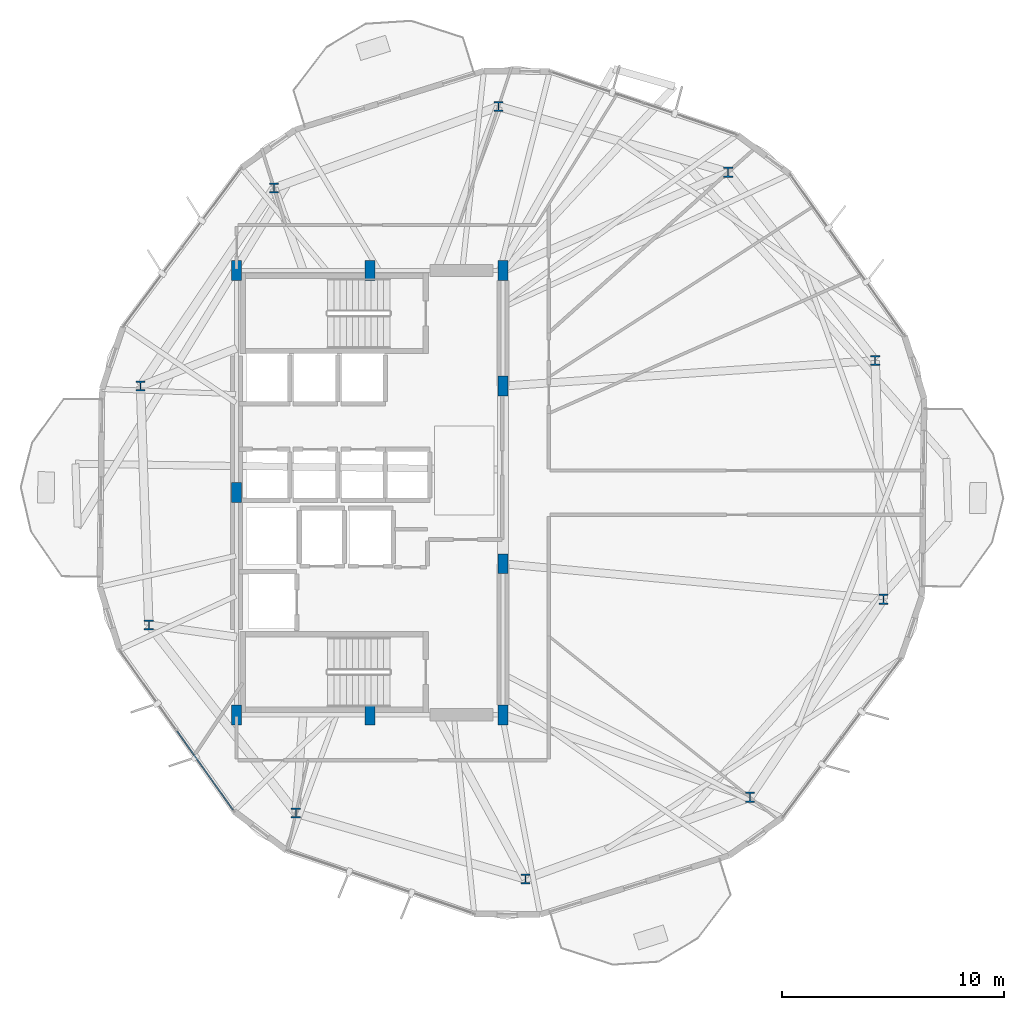
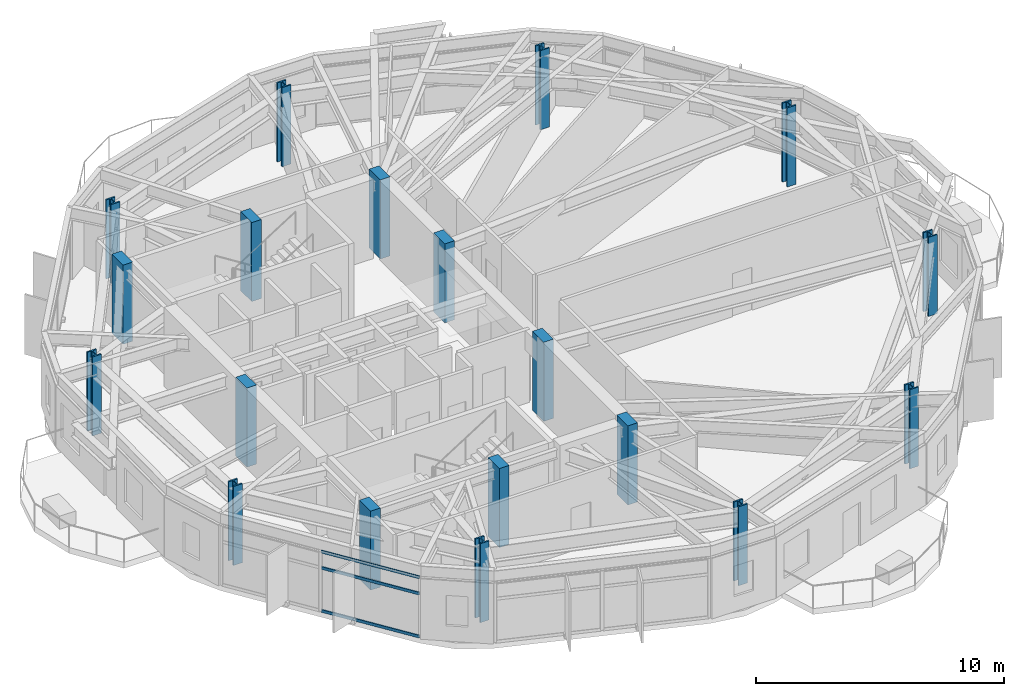
# One storey, part 1 of 27: 19 columns, 3 members, 1 element without a shape of its own.
"""IFC4 building model written with IfcOpenShell, lengths in metres."""

from ifc_helpers import new_model, si_unit, direction, frame, origin, origin_2d, place, context, subcontext, project, spatial, rectangle, hollow_rectangle, i_section, extrude, material, layer, layer_set, material_profile, profile_set, type_object, element, aggregate, save


model = new_model("IFC4")

# Units and contexts
model_context = context("Model", 3, precision=1e-05, world=origin(), true_north=direction((0.0, 1.0)))
body_context = subcontext(model_context, "Body", "Model", "MODEL_VIEW")
ifc_project = project(units=[si_unit("LENGTHUNIT", "METRE"), si_unit("AREAUNIT", "SQUARE_METRE"), si_unit("VOLUMEUNIT", "CUBIC_METRE"), si_unit("PLANEANGLEUNIT", "RADIAN"), si_unit("MASSUNIT", "GRAM", prefix="KILO")], contexts=[model_context])

# Site, building, storey
site_placement = place(None, origin())
site = spatial("IfcSite", under=ifc_project, at=site_placement, CompositionType="ELEMENT")
building_placement = place(site_placement, origin())
building = spatial("IfcBuilding", under=site, at=building_placement, Name="Soratama Intermodal Tower", CompositionType="ELEMENT")
storey_placement = place(building_placement, frame((0.0, 0.0, 95.199951171875)))
storey = spatial("IfcBuildingStorey", under=building, at=storey_placement, Name="L22", CompositionType="ELEMENT", Elevation=95.199951171875)

# Columns
ifc_material_1 = material(Name="Structural steel ASTM A992 Grade 50", Category="steel")
ifc_material_profile_1 = material_profile(ifc_material_1, i_section(OverallWidth=0.41796875, OverallDepth=0.455078125, WebThickness=0.0419921875, FlangeThickness=0.067626953125, FilletRadius=0.0380859375, at=origin_2d()), Name="W14X370")
ifc_profile_set_1 = profile_set([ifc_material_profile_1], Name="Structural steel ASTM A992 Grade 50")
column_type_1 = type_object("IfcColumnType", Name="COL-ZB-W14X370", PredefinedType="COLUMN", material=ifc_profile_set_1)
for number, where, z_axis, x_axis, name in (
    (1, (61.3505859375, 30.951171875, 0.0), (0.0, 0.0, 1.0), (1.0, 0.0, 0.0), "L22 Tower Ring Column R01"),
    (2, (54.72998046875, 39.42529296875, 0.0), (0.0, 0.0, 1.0), (1.0, 0.0, 0.0), "L22 Tower Ring Column R02"),
    (3, (44.392578125, 42.389404296875, 0.0), (0.0, 0.0, 1.0), (1.0, 0.0, 0.0), "L22 Tower Ring Column R03"),
    (4, (34.28759765625, 38.71142578125, 0.0), (0.0, 0.0, 1.0), (1.0, 0.0, 0.0), "L22 Tower Ring Column R04"),
    (5, (28.27392578125, 29.796142578125, 0.0), (0.0, 0.0, 1.0), (1.0, 0.0, 0.0), "L22 Tower Ring Column R05"),
    (6, (28.6494140625, 19.048828125, 0.0), (0.0, 0.0, 1.0), (1.0, 0.0, 0.0), "L22 Tower Ring Column R06"),
    (7, (35.27001953125, 10.57470703125, 0.0), (0.0, 0.0, 1.0), (1.0, 0.0, 0.0), "L22 Tower Ring Column R07"),
    (8, (45.607421875, 7.610595703125, 0.0), (0.0, 0.0, 1.0), (1.0, 0.0, 0.0), "L22 Tower Ring Column R08"),
    (9, (55.71240234375, 11.28857421875, 0.0), (0.0, 0.0, 1.0), (1.0, 0.0, 0.0), "L22 Tower Ring Column R09"),
    (10, (61.72607421875, 20.203857421875, 0.0), (0.0, 0.0, 1.0), (1.0, 0.0, 0.0), "L22 Tower Ring Column R10"),
):
    element("IfcColumn", number, at=place(storey_placement, frame(where, z_axis=z_axis, x_axis=x_axis)), inside=storey, type_object=column_type_1, Name=name, PredefinedType="COLUMN", context=body_context, shape_type="SweptSolid", body=[
        extrude(i_section(OverallWidth=0.41796875, OverallDepth=0.455078125, WebThickness=0.0419921875, FlangeThickness=0.067626953125, FilletRadius=0.0380859375, at=origin_2d()), origin(), (0.0, 0.0, 1.0), 3.900146484375),
    ])
ifc_material_2 = material(Name="Concrete f'c 56 MPa", Category="concrete")
ifc_material_profile_2 = material_profile(ifc_material_2, rectangle(XDim=0.449951171875, YDim=0.89990234375, at=origin_2d()), Name="RC450X900")
ifc_profile_set_2 = profile_set([ifc_material_profile_2], Name="Concrete f'c 56 MPa")
column_type_2 = type_object("IfcColumnType", Name="PIL-CORE-450X900", PredefinedType="PILASTER", material=ifc_profile_set_2)
for number, where, z_axis, x_axis, name in (
    (11, (32.60009765625, 15.0, 0.0), (0.0, 0.0, 1.0), (1.0, 0.0, 0.0), "L22 Core Pilaster 1"),
    (12, (32.60009765625, 25.0, 0.0), (0.0, 0.0, 1.0), (1.0, 0.0, 0.0), "L22 Core Pilaster 2"),
    (13, (32.60009765625, 35.0, 0.0), (0.0, 0.0, 1.0), (1.0, 0.0, 0.0), "L22 Core Pilaster 3"),
    (14, (38.60009765625, 15.0, 0.0), (0.0, 0.0, 1.0), (1.0, 0.0, 0.0), "L22 Core Pilaster 4"),
    (15, (38.60009765625, 35.0, 0.0), (0.0, 0.0, 1.0), (1.0, 0.0, 0.0), "L22 Core Pilaster 5"),
    (16, (44.60009765625, 15.0, 0.0), (0.0, 0.0, 1.0), (1.0, 0.0, 0.0), "L22 Core Pilaster 6"),
    (17, (44.60009765625, 21.800048828125, 0.0), (0.0, 0.0, 1.0), (1.0, 0.0, 0.0), "L22 Core Pilaster 7"),
    (18, (44.60009765625, 29.800048828125, 0.0), (0.0, 0.0, 1.0), (1.0, 0.0, 0.0), "L22 Core Pilaster 8"),
    (19, (44.60009765625, 35.0, 0.0), (0.0, 0.0, 1.0), (1.0, 0.0, 0.0), "L22 Core Pilaster 9"),
):
    element("IfcColumn", number, at=place(storey_placement, frame(where, z_axis=z_axis, x_axis=x_axis)), inside=storey, type_object=column_type_2, Name=name, PredefinedType="PILASTER", context=body_context, shape_type="SweptSolid", body=[
        extrude(rectangle(XDim=0.449951171875, YDim=0.89990234375, at=origin_2d()), origin(), (0.0, 0.0, 1.0), 3.900146484375),
    ])

# Curtain wall, members
ifc_material_3 = material(Name="Double-glazed aluminium curtain wall", Category="aluminium")
ifc_layer = layer(ifc_material_3, 0.159912109375)
ifc_layer_set = layer_set([ifc_layer], Name="Double-glazed aluminium curtain wall")
curtain_wall_type = type_object("IfcCurtainWallType", Name="CW-SYS-3", PredefinedType="NOTDEFINED", material=ifc_layer_set)
curtain_wall_placement = place(storey_placement, origin())
curtain_wall = element("IfcCurtainWall", 20, at=curtain_wall_placement, inside=storey, type_object=curtain_wall_type, Name="L22 Faceted Curtain Wall F06", PredefinedType="NOTDEFINED")
ifc_material_4 = material(Name="Anodised aluminium AA 6063-T6", Category="aluminium")
ifc_material_profile_3 = material_profile(ifc_material_4, hollow_rectangle(XDim=0.06494140625, YDim=0.14990234375, WallThickness=0.0048828125, InnerFilletRadius=0.0048828125, OuterFilletRadius=0.010009765625, at=origin_2d()), Name="CWT150X65X5")
ifc_profile_set_3 = profile_set([ifc_material_profile_3], Name="Anodised aluminium AA 6063-T6")
member_type = type_object("IfcMemberType", Name="TT-CWT-1", PredefinedType="USERDEFINED", material=ifc_profile_set_3)
member_1_placement = place(storey_placement, frame((29.919189453125, 14.26953125, 0.030029296875), z_axis=(0.578430130917, -0.815731931241, 0.0), x_axis=(0.815731931241, 0.578430130917, 0.0)))
member_1 = element("IfcMember", 21, at=member_1_placement, type_object=member_type, Name="CW-3 transom 2.1", ObjectType="TRANSOM", PredefinedType="USERDEFINED", context=body_context, shape_type="SweptSolid", body=[
    extrude(hollow_rectangle(XDim=0.06494140625, YDim=0.14990234375, WallThickness=0.0048828125, InnerFilletRadius=0.0048828125, OuterFilletRadius=0.010009765625, at=origin_2d()), origin(), (0.0, 0.0, 1.0), 4.3642578125),
])
member_2_placement = place(storey_placement, frame((29.919189453125, 14.26953125, 2.150146484375), z_axis=(0.578430130917, -0.815731931241, 0.0), x_axis=(0.815731931241, 0.578430130917, 0.0)))
member_2 = element("IfcMember", 22, at=member_2_placement, type_object=member_type, Name="CW-3 transom 2.2", ObjectType="TRANSOM", PredefinedType="USERDEFINED", context=body_context, shape_type="SweptSolid", body=[
    extrude(hollow_rectangle(XDim=0.06494140625, YDim=0.14990234375, WallThickness=0.0048828125, InnerFilletRadius=0.0048828125, OuterFilletRadius=0.010009765625, at=origin_2d()), origin(), (0.0, 0.0, 1.0), 4.3642578125),
])
member_3_placement = place(storey_placement, frame((29.919189453125, 14.26953125, 2.948974609375), z_axis=(0.578430130917, -0.815731931241, 0.0), x_axis=(0.815731931241, 0.578430130917, 0.0)))
member_3 = element("IfcMember", 23, at=member_3_placement, type_object=member_type, Name="CW-3 transom 2.3", ObjectType="TRANSOM", PredefinedType="USERDEFINED", context=body_context, shape_type="SweptSolid", body=[
    extrude(hollow_rectangle(XDim=0.06494140625, YDim=0.14990234375, WallThickness=0.0048828125, InnerFilletRadius=0.0048828125, OuterFilletRadius=0.010009765625, at=origin_2d()), origin(), (0.0, 0.0, 1.0), 4.3642578125),
])
aggregate(curtain_wall, [member_1, member_2, member_3])

save(model, "model.ifc")
